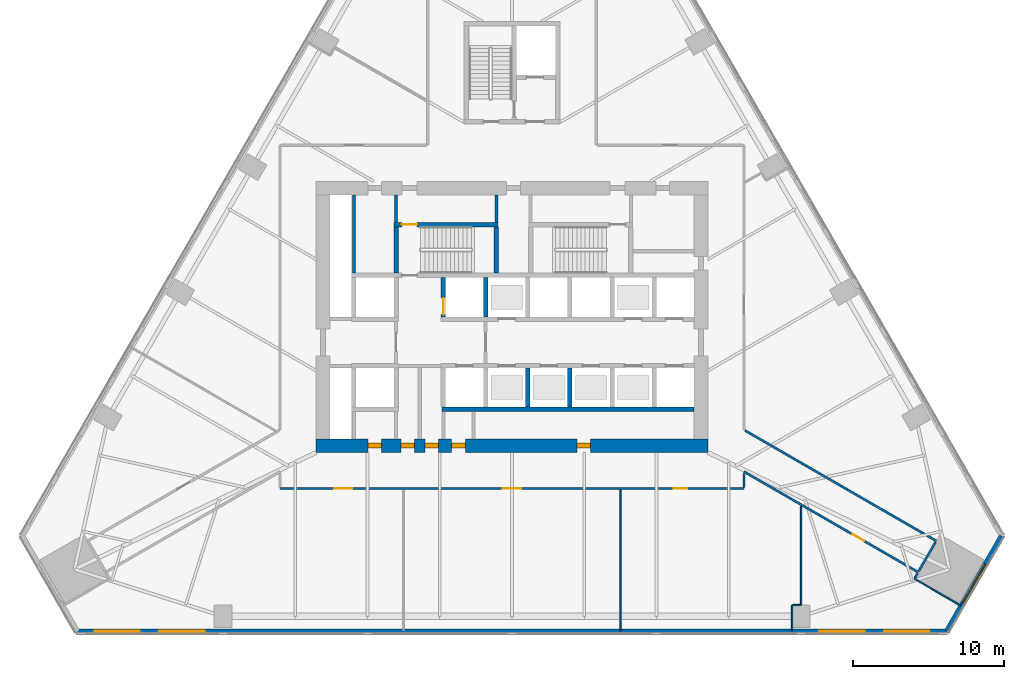
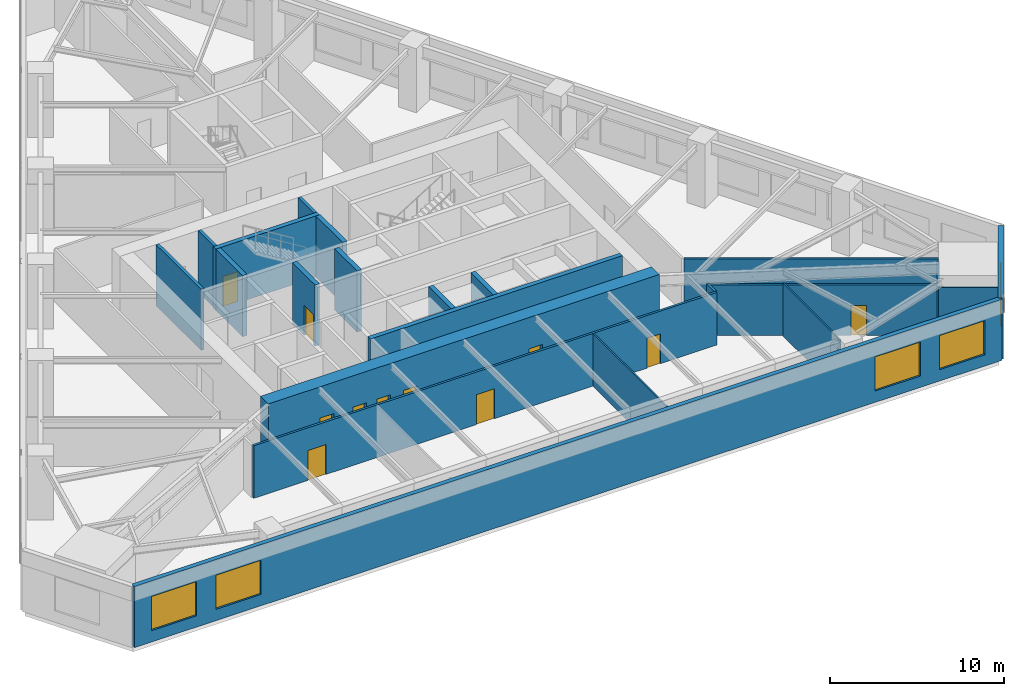
# One storey, part 4 of 14: 25 walls, 11 doors, 5 windows, 16 openings.
"""IFC4 building model written with IfcOpenShell, lengths in metres."""

from ifc_helpers import new_model, si_unit, direction, frame, frame_2d, origin, place, context, subcontext, project, spatial, rectangle, extrude, material, layer, layer_set, type_object, element, fill, save


model = new_model("IFC4")

# Units and contexts
model_context = context("Model", 3, precision=1e-05, world=origin(), true_north=direction((0.0, 1.0)))
body_context = subcontext(model_context, "Body", "Model", "MODEL_VIEW")
ifc_project = project(units=[si_unit("LENGTHUNIT", "METRE"), si_unit("AREAUNIT", "SQUARE_METRE"), si_unit("VOLUMEUNIT", "CUBIC_METRE"), si_unit("PLANEANGLEUNIT", "RADIAN"), si_unit("MASSUNIT", "GRAM", prefix="KILO")], contexts=[model_context])

# Site, building, storey
site_placement = place(None, origin())
site = spatial("IfcSite", under=ifc_project, at=site_placement, CompositionType="ELEMENT")
building_placement = place(site_placement, origin())
building = spatial("IfcBuilding", under=site, at=building_placement, Name="Firuza Gate Tower and Library", CompositionType="ELEMENT")
storey_placement = place(building_placement, frame((0.0, 0.0, 35.5)))
storey = spatial("IfcBuildingStorey", under=building, at=storey_placement, Name="L07", CompositionType="ELEMENT", Elevation=35.5)

# Walls
ifc_material_1 = material(Name="Plasterboard on steel studs", Category="steel")
ifc_layer_1 = layer(ifc_material_1, 0.199951171875)
ifc_layer_set_1 = layer_set([ifc_layer_1], Name="Core partition 200 EI 120")
wall_type_1 = type_object("IfcWallType", Name="Core partition 200 EI 120", PredefinedType="PARTITIONING", material=ifc_layer_set_1)
wall_1_placement = place(storey_placement, frame((64.5, 77.89990234375, 0.0), z_axis=(0.0, 0.0, 1.0), x_axis=(0.0, 1.0, 0.0)))
element("IfcWall", 1, at=wall_1_placement, inside=storey, type_object=wall_type_1, Name="Core partition L07 6", PredefinedType="PARTITIONING", context=body_context, shape_type="SweptSolid", body=[
    extrude(rectangle(XDim=5.2001953125, YDim=0.199951171875, at=frame_2d((2.60009765625, 0.0))), origin(), (0.0, 0.0, 1.0), 4.300048828125),
])
for number, where, z_axis, x_axis, name in (
    (2, (67.300048828125, 81.280029296875, 0.0), (0.0, 0.0, 1.0), (0.0, 1.0, 0.0), "Core partition L07 9"),
    (3, (73.9599609375, 81.280029296875, 0.0), (0.0, 0.0, 1.0), (0.0, 1.0, 0.0), "Core partition L07 14"),
):
    element("IfcWall", number, at=place(storey_placement, frame(where, z_axis=z_axis, x_axis=x_axis)), inside=storey, type_object=wall_type_1, Name=name, PredefinedType="PARTITIONING", context=body_context, shape_type="SweptSolid", body=[
        extrude(rectangle(XDim=1.820068359375, YDim=0.199951171875, at=frame_2d((0.91015625, 0.0))), origin(), (0.0, 0.0, 1.0), 4.300048828125),
    ])
ifc_material_2 = material(Name="Concrete C80/95", Category="concrete")
ifc_layer_2 = layer(ifc_material_2, 0.300048828125)
ifc_layer_set_2 = layer_set([ifc_layer_2], Name="Core wall 300 C80/95")
wall_type_2 = type_object("IfcWallType", Name="Core wall 300 C80/95", PredefinedType="SHEAR", material=ifc_layer_set_2)
wall_2_placement = place(storey_placement, frame((70.35009765625, 68.85009765625, 0.0), z_axis=(0.0, 0.0, 1.0), x_axis=(1.0, 0.0, 0.0)))
element("IfcWall", 4, at=wall_2_placement, inside=storey, type_object=wall_type_2, Name="Core wall L07 6", PredefinedType="SHEAR", context=body_context, shape_type="SweptSolid", body=[
    extrude(rectangle(XDim=16.75, YDim=0.300048828125, at=frame_2d((8.375, 0.0))), origin(), (0.0, 0.0, 1.0), 4.300048828125),
])

# Wall, opening, door
wall_3_placement = place(storey_placement, frame((70.449951171875, 75.0, 0.0), z_axis=(0.0, 0.0, 1.0), x_axis=(0.0, 1.0, 0.0)))
wall_3 = element("IfcWall", 5, at=wall_3_placement, inside=storey, type_object=wall_type_2, Name="Core wall L07 16", PredefinedType="SHEAR", context=body_context, shape_type="SweptSolid", body=[
    extrude(rectangle(XDim=2.60009765625, YDim=0.300048828125, at=frame_2d((1.300048828125, 0.0))), origin(), (0.0, 0.0, 1.0), 4.300048828125),
])
opening_1_placement = place(wall_3_placement, frame((0.14990234375, 0.0, 0.0)))
opening_1 = element("IfcOpeningElement", 6, at=opening_1_placement, cuts=wall_3, Name="Opening LD-FF2-L07", PredefinedType="OPENING", context=body_context, shape_type="SweptSolid", body=[
    extrude(rectangle(XDim=1.10009765625, YDim=2.10009765625, at=frame_2d((0.550048828125, 1.050048828125))), frame((0.0, 0.16015625, 0.0), z_axis=(0.0, -1.0, 0.0), x_axis=(1.0, 0.0, 0.0)), (0.0, 0.0, 1.0), 0.320068359375),
])
ifc_material_3 = material(Name="Stainless steel", Category="steel")
door_type_1 = type_object("IfcDoorType", Name="Lift landing door 1100x2100", OperationType="DOUBLE_DOOR_SLIDING", PredefinedType="DOOR", material=ifc_material_3)
door_1_placement = place(opening_1_placement, origin())
door_1 = element("IfcDoor", 7, at=door_1_placement, inside=storey, type_object=door_type_1, Name="Landing door FF2 L07", OperationType="DOUBLE_DOOR_SLIDING", OverallHeight=2.10009765625, OverallWidth=1.10009765625, PredefinedType="DOOR", context=body_context, shape_type="SweptSolid", body=[
    extrude(rectangle(XDim=1.10009765625, YDim=2.10009765625, at=frame_2d((0.550048828125, 1.050048828125))), frame((0.0, 0.02490234375, 0.0), z_axis=(0.0, -1.0, 0.0), x_axis=(1.0, 0.0, 0.0)), (0.0, 0.0, 1.0), 0.050048828125),
])
fill(opening_1, door_1)

# Walls
for number, where, z_axis, x_axis, name in (
    (8, (73.25, 75.0, 0.0), (0.0, 0.0, 1.0), (0.0, 1.0, 0.0), "Core wall L07 18"),
    (9, (76.050048828125, 69.0, 0.0), (0.0, 0.0, 1.0), (0.0, 1.0, 0.0), "Core wall L07 19"),
    (10, (78.85009765625, 69.0, 0.0), (0.0, 0.0, 1.0), (0.0, 1.0, 0.0), "Core wall L07 21"),
):
    element("IfcWall", number, at=place(storey_placement, frame(where, z_axis=z_axis, x_axis=x_axis)), inside=storey, type_object=wall_type_2, Name=name, PredefinedType="SHEAR", context=body_context, shape_type="SweptSolid", body=[
        extrude(rectangle(XDim=2.60009765625, YDim=0.300048828125, at=frame_2d((1.300048828125, 0.0))), origin(), (0.0, 0.0, 1.0), 4.300048828125),
    ])

# Wall, opening, door
wall_4_placement = place(storey_placement, frame((67.14990234375, 81.1298828125, 0.0), z_axis=(0.0, 0.0, 1.0), x_axis=(1.0, 0.0, 0.0)))
wall_4 = element("IfcWall", 11, at=wall_4_placement, inside=storey, type_object=wall_type_2, Name="Core wall L07 28", PredefinedType="SHEAR", context=body_context, shape_type="SweptSolid", body=[
    extrude(rectangle(XDim=6.91015625, YDim=0.300048828125, at=frame_2d((3.455078125, 0.0))), origin(), (0.0, 0.0, 1.0), 4.300048828125),
])
opening_2_placement = place(wall_4_placement, frame((0.544921875, 0.0, 0.0)))
opening_2 = element("IfcOpeningElement", 12, at=opening_2_placement, cuts=wall_4, Name="Opening L07-K13", PredefinedType="OPENING", context=body_context, shape_type="SweptSolid", body=[
    extrude(rectangle(XDim=1.0, YDim=2.10009765625, at=frame_2d((0.5, 1.050048828125))), frame((0.0, 0.16015625, 0.0), z_axis=(0.0, -1.0, 0.0), x_axis=(1.0, 0.0, 0.0)), (0.0, 0.0, 1.0), 0.320068359375),
])
ifc_material_4 = material(Name="Steel", Category="steel")
door_type_2 = type_object("IfcDoorType", Name="Fire door 1000x2100 FD90", OperationType="NOTDEFINED", PredefinedType="DOOR", material=ifc_material_4)
door_2_placement = place(opening_2_placement, origin())
door_2 = element("IfcDoor", 13, at=door_2_placement, inside=storey, type_object=door_type_2, Name="Door L07-K13", OperationType="SINGLE_SWING_RIGHT", OverallHeight=2.10009765625, OverallWidth=1.0, PredefinedType="DOOR", context=body_context, shape_type="SweptSolid", body=[
    extrude(rectangle(XDim=1.0, YDim=2.10009765625, at=frame_2d((0.5, 1.050048828125))), frame((0.0, 0.02490234375, 0.0), z_axis=(0.0, -1.0, 0.0), x_axis=(1.0, 0.0, 0.0)), (0.0, 0.0, 1.0), 0.050048828125),
])
fill(opening_2, door_2)

# Walls
for number, where, z_axis, x_axis, name in (
    (14, (67.300048828125, 77.89990234375, 0.0), (0.0, 0.0, 1.0), (0.0, 1.0, 0.0), "Core wall L07 30"),
    (15, (73.9599609375, 77.89990234375, 0.0), (0.0, 0.0, 1.0), (0.0, 1.0, 0.0), "Core wall L07 31"),
):
    element("IfcWall", number, at=place(storey_placement, frame(where, z_axis=z_axis, x_axis=x_axis)), inside=storey, type_object=wall_type_2, Name=name, PredefinedType="SHEAR", context=body_context, shape_type="SweptSolid", body=[
        extrude(rectangle(XDim=3.080078125, YDim=0.300048828125, at=frame_2d((1.5400390625, 0.0))), origin(), (0.0, 0.0, 1.0), 4.300048828125),
    ])

# Wall, openings, doors
ifc_material_5 = material(Name="Concrete C80/95", Category="concrete")
ifc_layer_3 = layer(ifc_material_5, 0.89990234375)
ifc_layer_set_3 = layer_set([ifc_layer_3], Name="Core wall 900 C80/95")
wall_type_3 = type_object("IfcWallType", Name="Core wall 900 C80/95", PredefinedType="SHEAR", material=ifc_layer_set_3)
wall_5_placement = place(storey_placement, frame((62.0, 66.449951171875, 0.0), z_axis=(0.0, 0.0, 1.0), x_axis=(1.0, 0.0, 0.0)))
wall_5 = element("IfcWall", 16, at=wall_5_placement, inside=storey, type_object=wall_type_3, Name="Core wall L07 1", PredefinedType="SHEAR", context=body_context, shape_type="SweptSolid", body=[
    extrude(rectangle(XDim=26.0, YDim=0.89990234375, at=frame_2d((13.0, 0.0))), origin(), (0.0, 0.0, 1.0), 4.300048828125),
])
opening_3_placement = place(wall_5_placement, frame((3.449951171875, 0.0, 0.0)))
opening_3 = element("IfcOpeningElement", 17, at=opening_3_placement, cuts=wall_5, Name="Opening L07-K24", PredefinedType="OPENING", context=body_context, shape_type="SweptSolid", body=[
    extrude(rectangle(XDim=0.89990234375, YDim=2.10009765625, at=frame_2d((0.449951171875, 1.050048828125))), frame((0.0, 0.4599609375, 0.0), z_axis=(0.0, -1.0, 0.0), x_axis=(1.0, 0.0, 0.0)), (0.0, 0.0, 1.0), 0.919921875),
])
opening_4_placement = place(wall_5_placement, frame((5.637451171875, 0.0, 0.0)))
opening_4 = element("IfcOpeningElement", 18, at=opening_4_placement, cuts=wall_5, Name="Opening L07-K25", PredefinedType="OPENING", context=body_context, shape_type="SweptSolid", body=[
    extrude(rectangle(XDim=0.89990234375, YDim=2.10009765625, at=frame_2d((0.449951171875, 1.050048828125))), frame((0.0, 0.4599609375, 0.0), z_axis=(0.0, -1.0, 0.0), x_axis=(1.0, 0.0, 0.0)), (0.0, 0.0, 1.0), 0.919921875),
])
opening_5_placement = place(wall_5_placement, frame((7.21240234375, 0.0, 0.0)))
opening_5 = element("IfcOpeningElement", 19, at=opening_5_placement, cuts=wall_5, Name="Opening L07-K26", PredefinedType="OPENING", context=body_context, shape_type="SweptSolid", body=[
    extrude(rectangle(XDim=0.89990234375, YDim=2.10009765625, at=frame_2d((0.449951171875, 1.050048828125))), frame((0.0, 0.4599609375, 0.0), z_axis=(0.0, -1.0, 0.0), x_axis=(1.0, 0.0, 0.0)), (0.0, 0.0, 1.0), 0.919921875),
])
opening_6_placement = place(wall_5_placement, frame((8.9990234375, 0.0, 0.0)))
opening_6 = element("IfcOpeningElement", 20, at=opening_6_placement, cuts=wall_5, Name="Opening L07-K27", PredefinedType="OPENING", context=body_context, shape_type="SweptSolid", body=[
    extrude(rectangle(XDim=0.89990234375, YDim=2.10009765625, at=frame_2d((0.449951171875, 1.050048828125))), frame((0.0, 0.4599609375, 0.0), z_axis=(0.0, -1.0, 0.0), x_axis=(1.0, 0.0, 0.0)), (0.0, 0.0, 1.0), 0.919921875),
])
opening_7_placement = place(wall_5_placement, frame((17.323974609375, 0.0, 0.0)))
opening_7 = element("IfcOpeningElement", 21, at=opening_7_placement, cuts=wall_5, Name="Opening L07-K28", PredefinedType="OPENING", context=body_context, shape_type="SweptSolid", body=[
    extrude(rectangle(XDim=0.89990234375, YDim=2.10009765625, at=frame_2d((0.449951171875, 1.050048828125))), frame((0.0, 0.4599609375, 0.0), z_axis=(0.0, -1.0, 0.0), x_axis=(1.0, 0.0, 0.0)), (0.0, 0.0, 1.0), 0.919921875),
])
ifc_material_6 = material(Name="Steel", Category="steel")
door_type_3 = type_object("IfcDoorType", Name="Fire door 900x2100 FD30S", OperationType="NOTDEFINED", PredefinedType="DOOR", material=ifc_material_6)
door_3_placement = place(opening_3_placement, origin())
door_3 = element("IfcDoor", 22, at=door_3_placement, inside=storey, type_object=door_type_3, Name="Door L07-K24", OperationType="SINGLE_SWING_LEFT", OverallHeight=2.10009765625, OverallWidth=0.89990234375, PredefinedType="DOOR", context=body_context, shape_type="SweptSolid", body=[
    extrude(rectangle(XDim=0.89990234375, YDim=2.10009765625, at=frame_2d((0.449951171875, 1.050048828125))), frame((0.0, 0.169921875, 0.0), z_axis=(0.0, -1.0, 0.0), x_axis=(1.0, 0.0, 0.0)), (0.0, 0.0, 1.0), 0.33984375),
])
fill(opening_3, door_3)
door_4_placement = place(opening_4_placement, origin())
door_4 = element("IfcDoor", 23, at=door_4_placement, inside=storey, type_object=door_type_3, Name="Door L07-K25", OperationType="SINGLE_SWING_RIGHT", OverallHeight=2.10009765625, OverallWidth=0.89990234375, PredefinedType="DOOR", context=body_context, shape_type="SweptSolid", body=[
    extrude(rectangle(XDim=0.89990234375, YDim=2.10009765625, at=frame_2d((0.449951171875, 1.050048828125))), frame((0.0, 0.169921875, 0.0), z_axis=(0.0, -1.0, 0.0), x_axis=(1.0, 0.0, 0.0)), (0.0, 0.0, 1.0), 0.33984375),
])
fill(opening_4, door_4)
door_5_placement = place(opening_5_placement, origin())
door_5 = element("IfcDoor", 24, at=door_5_placement, inside=storey, type_object=door_type_3, Name="Door L07-K26", OperationType="SINGLE_SWING_LEFT", OverallHeight=2.10009765625, OverallWidth=0.89990234375, PredefinedType="DOOR", context=body_context, shape_type="SweptSolid", body=[
    extrude(rectangle(XDim=0.89990234375, YDim=2.10009765625, at=frame_2d((0.449951171875, 1.050048828125))), frame((0.0, 0.169921875, 0.0), z_axis=(0.0, -1.0, 0.0), x_axis=(1.0, 0.0, 0.0)), (0.0, 0.0, 1.0), 0.33984375),
])
fill(opening_5, door_5)
door_6_placement = place(opening_6_placement, origin())
door_6 = element("IfcDoor", 25, at=door_6_placement, inside=storey, type_object=door_type_3, Name="Door L07-K27", OperationType="SINGLE_SWING_RIGHT", OverallHeight=2.10009765625, OverallWidth=0.89990234375, PredefinedType="DOOR", context=body_context, shape_type="SweptSolid", body=[
    extrude(rectangle(XDim=0.89990234375, YDim=2.10009765625, at=frame_2d((0.449951171875, 1.050048828125))), frame((0.0, 0.169921875, 0.0), z_axis=(0.0, -1.0, 0.0), x_axis=(1.0, 0.0, 0.0)), (0.0, 0.0, 1.0), 0.33984375),
])
fill(opening_6, door_6)
door_7_placement = place(opening_7_placement, origin())
door_7 = element("IfcDoor", 26, at=door_7_placement, inside=storey, type_object=door_type_3, Name="Door L07-K28", OperationType="SINGLE_SWING_LEFT", OverallHeight=2.10009765625, OverallWidth=0.89990234375, PredefinedType="DOOR", context=body_context, shape_type="SweptSolid", body=[
    extrude(rectangle(XDim=0.89990234375, YDim=2.10009765625, at=frame_2d((0.449951171875, 1.050048828125))), frame((0.0, 0.169921875, 0.0), z_axis=(0.0, -1.0, 0.0), x_axis=(1.0, 0.0, 0.0)), (0.0, 0.0, 1.0), 0.33984375),
])
fill(opening_7, door_7)

ifc_material_7 = material(Name="Gypsum board partition")
ifc_layer_4 = layer(ifc_material_7, 0.14990234375)
ifc_layer_set_4 = layer_set([ifc_layer_4], Name="Corridor wall 150 double board on steel studs")
wall_type_4 = type_object("IfcWallType", Name="Corridor wall 150 double board on steel studs", PredefinedType="PARTITIONING", material=ifc_layer_set_4)
wall_6_placement = place(storey_placement, frame((90.39990234375, 63.60009765625, 0.0), z_axis=(0.0, 0.0, 1.0), x_axis=(-1.0, 0.0, 0.0)))
wall_6 = element("IfcWall", 27, at=wall_6_placement, inside=storey, type_object=wall_type_4, Name="f:L07:w001", PredefinedType="PARTITIONING", context=body_context, shape_type="SweptSolid", body=[
    extrude(rectangle(XDim=30.79931640625, YDim=0.14990234375, at=frame_2d((15.399658203125, 0.0))), origin(), (0.0, 0.0, 1.0), 3.699951171875),
])
opening_8_placement = place(wall_6_placement, frame((3.75146484375, 0.0, 0.0)))
opening_8 = element("IfcOpeningElement", 28, at=opening_8_placement, cuts=wall_6, Name="Opening L07-01", PredefinedType="OPENING", context=body_context, shape_type="SweptSolid", body=[
    extrude(rectangle(XDim=0.89990234375, YDim=2.10009765625, at=frame_2d((0.449951171875, 1.050048828125))), frame((0.0, 0.0849609375, 0.0), z_axis=(0.0, -1.0, 0.0), x_axis=(1.0, 0.0, 0.0)), (0.0, 0.0, 1.0), 0.169921875),
])
opening_9_placement = place(wall_6_placement, frame((14.800048828125, 0.0, 0.0)))
opening_9 = element("IfcOpeningElement", 29, at=opening_9_placement, cuts=wall_6, Name="Opening L07-02", PredefinedType="OPENING", context=body_context, shape_type="SweptSolid", body=[
    extrude(rectangle(XDim=1.199951171875, YDim=2.10009765625, at=frame_2d((0.60009765625, 1.050048828125))), frame((0.0, 0.0849609375, 0.0), z_axis=(0.0, -1.0, 0.0), x_axis=(1.0, 0.0, 0.0)), (0.0, 0.0, 1.0), 0.169921875),
])
opening_10_placement = place(wall_6_placement, frame((25.998291015625, 0.0, 0.0)))
opening_10 = element("IfcOpeningElement", 30, at=opening_10_placement, cuts=wall_6, Name="Opening L07-03", PredefinedType="OPENING", context=body_context, shape_type="SweptSolid", body=[
    extrude(rectangle(XDim=1.199951171875, YDim=2.10009765625, at=frame_2d((0.60009765625, 1.050048828125))), frame((0.0, 0.0849609375, 0.0), z_axis=(0.0, -1.0, 0.0), x_axis=(1.0, 0.0, 0.0)), (0.0, 0.0, 1.0), 0.169921875),
])
ifc_material_8 = material(Name="Steel door and timber leaf", Category="steel")
door_type_4 = type_object("IfcDoorType", Name="Fire door 1200 x 2100 steel frame, double leaf", OperationType="NOTDEFINED", PredefinedType="DOOR", material=ifc_material_8)
door_8_placement = place(opening_9_placement, origin())
door_8 = element("IfcDoor", 31, at=door_8_placement, inside=storey, type_object=door_type_4, Name="f:L07:d002", OperationType="DOUBLE_DOOR_SINGLE_SWING", OverallHeight=2.10009765625, OverallWidth=1.199951171875, PredefinedType="DOOR", context=body_context, shape_type="SweptSolid", body=[
    extrude(rectangle(XDim=1.199951171875, YDim=2.10009765625, at=frame_2d((0.60009765625, 1.050048828125))), frame((0.0, 0.02490234375, 0.0), z_axis=(0.0, -1.0, 0.0), x_axis=(1.0, 0.0, 0.0)), (0.0, 0.0, 1.0), 0.050048828125),
])
fill(opening_9, door_8)
door_9_placement = place(opening_10_placement, origin())
door_9 = element("IfcDoor", 32, at=door_9_placement, inside=storey, type_object=door_type_4, Name="f:L07:d003", OperationType="DOUBLE_DOOR_SINGLE_SWING", OverallHeight=2.10009765625, OverallWidth=1.199951171875, PredefinedType="DOOR", context=body_context, shape_type="SweptSolid", body=[
    extrude(rectangle(XDim=1.199951171875, YDim=2.10009765625, at=frame_2d((0.60009765625, 1.050048828125))), frame((0.0, 0.02490234375, 0.0), z_axis=(0.0, -1.0, 0.0), x_axis=(1.0, 0.0, 0.0)), (0.0, 0.0, 1.0), 0.050048828125),
])
fill(opening_10, door_9)
ifc_material_9 = material(Name="Steel door and timber leaf", Category="steel")
door_type_5 = type_object("IfcDoorType", Name="Fire door 900 x 2100 steel frame, timber leaf", OperationType="NOTDEFINED", PredefinedType="DOOR", material=ifc_material_9)
door_10_placement = place(opening_8_placement, origin())
door_10 = element("IfcDoor", 33, at=door_10_placement, inside=storey, type_object=door_type_5, Name="f:L07:d001", OperationType="SINGLE_SWING_RIGHT", OverallHeight=2.10009765625, OverallWidth=0.89990234375, PredefinedType="DOOR", context=body_context, shape_type="SweptSolid", body=[
    extrude(rectangle(XDim=0.89990234375, YDim=2.10009765625, at=frame_2d((0.449951171875, 1.050048828125))), frame((0.0, 0.02490234375, 0.0), z_axis=(0.0, -1.0, 0.0), x_axis=(1.0, 0.0, 0.0)), (0.0, 0.0, 1.0), 0.050048828125),
])
fill(opening_8, door_10)

# Walls
wall_7_placement = place(storey_placement, frame((101.744384765625, 57.654541015625, 0.0), z_axis=(0.0, 0.0, 1.0), x_axis=(0.500136362069, 0.865946660792, 0.0)))
element("IfcWall", 34, at=wall_7_placement, inside=storey, type_object=wall_type_4, Name="f:L07:w013", PredefinedType="PARTITIONING", context=body_context, shape_type="SweptSolid", body=[
    extrude(rectangle(XDim=0.37451171875, YDim=0.14990234375, at=frame_2d((0.187255859375, 0.0))), origin(), (0.0, 0.0, 1.0), 3.699951171875),
])
wall_8_placement = place(storey_placement, frame((90.39990234375, 63.675048828125, 0.0), z_axis=(0.0, 0.0, 1.0), x_axis=(0.0, 1.0, 0.0)))
element("IfcWall", 35, at=wall_8_placement, inside=storey, type_object=wall_type_4, Name="f:L07:w017", PredefinedType="PARTITIONING", context=body_context, shape_type="SweptSolid", body=[
    extrude(rectangle(XDim=0.91162109375, YDim=0.14990234375, at=frame_2d((0.455810546875, 0.0))), origin(), (0.0, 0.0, 1.0), 3.699951171875),
])
wall_9_placement = place(storey_placement, frame((103.16845703125, 60.12255859375, 0.0), z_axis=(0.0, 0.0, 1.0), x_axis=(-0.866022484069, 0.500005057062, 0.0)))
element("IfcWall", 36, at=wall_9_placement, inside=storey, type_object=wall_type_4, Name="f:L07:w032", PredefinedType="PARTITIONING", context=body_context, shape_type="SweptSolid", body=[
    extrude(rectangle(XDim=14.656982421875, YDim=0.14990234375, at=frame_2d((7.32861328125, 0.0))), origin(), (0.0, 0.0, 1.0), 3.699951171875),
])

# Wall, opening, door
wall_10_placement = place(storey_placement, frame((101.968994140625, 58.0439453125, 0.0), z_axis=(0.0, 0.0, 1.0), x_axis=(-0.866027935033, 0.499995615723, 0.0)))
wall_10 = element("IfcWall", 37, at=wall_10_placement, inside=storey, type_object=wall_type_4, Name="f:L07:w033", PredefinedType="PARTITIONING", context=body_context, shape_type="SweptSolid", body=[
    extrude(rectangle(XDim=13.3583984375, YDim=0.14990234375, at=frame_2d((6.67919921875, 0.0))), origin(), (0.0, 0.0, 1.0), 3.547119140625),
])
opening_11_placement = place(wall_10_placement, frame((4.136962890625, 0.0, 0.0)))
opening_11 = element("IfcOpeningElement", 38, at=opening_11_placement, cuts=wall_10, Name="Opening L07-10", PredefinedType="OPENING", context=body_context, shape_type="SweptSolid", body=[
    extrude(rectangle(XDim=0.89990234375, YDim=2.10009765625, at=frame_2d((0.449951171875, 1.050048828125))), frame((0.0, 0.0849609375, 0.0), z_axis=(0.0, -1.0, 0.0), x_axis=(1.0, 0.0, 0.0)), (0.0, 0.0, 1.0), 0.169921875),
])
door_11_placement = place(opening_11_placement, origin())
door_11 = element("IfcDoor", 39, at=door_11_placement, inside=storey, type_object=door_type_5, Name="f:L07:d010", OperationType="SINGLE_SWING_RIGHT", OverallHeight=2.10009765625, OverallWidth=0.89990234375, PredefinedType="DOOR", context=body_context, shape_type="SweptSolid", body=[
    extrude(rectangle(XDim=0.89990234375, YDim=2.10009765625, at=frame_2d((0.449951171875, 1.050048828125))), frame((0.0, 0.02490234375, 0.0), z_axis=(0.0, -1.0, 0.0), x_axis=(1.0, 0.0, 0.0)), (0.0, 0.0, 1.0), 0.050048828125),
])
fill(opening_11, door_11)

# Walls
wall_11_placement = place(storey_placement, frame((102.006591796875, 58.108642578125, 0.0), z_axis=(0.0, 0.0, 1.0), x_axis=(0.499979232204, 0.866037393745, 0.0)))
element("IfcWall", 40, at=wall_11_placement, inside=storey, type_object=wall_type_4, Name="f:L07:w039", PredefinedType="PARTITIONING", context=body_context, shape_type="SweptSolid", body=[
    extrude(rectangle(XDim=2.24951171875, YDim=0.14990234375, at=frame_2d((1.124755859375, 0.0))), origin(), (0.0, 0.0, 1.0), 3.547119140625),
])
ifc_material_10 = material(Name="Gypsum board partition")
ifc_layer_5 = layer(ifc_material_10, 0.10009765625)
ifc_layer_set_5 = layer_set([ifc_layer_5], Name="Partition 100 gypsum board on steel studs")
wall_type_5 = type_object("IfcWallType", Name="Partition 100 gypsum board on steel studs", PredefinedType="PARTITIONING", material=ifc_layer_set_5)
wall_12_placement = place(storey_placement, frame((93.650390625, 55.864990234375, 0.0), z_axis=(0.0, 0.0, 1.0), x_axis=(1.0, 0.0, 0.0)))
element("IfcWall", 41, at=wall_12_placement, inside=storey, type_object=wall_type_5, Name="f:L07:w000", PredefinedType="PARTITIONING", context=body_context, shape_type="SweptSolid", body=[
    extrude(rectangle(XDim=0.4990234375, YDim=0.10009765625, at=frame_2d((0.24951171875, 0.0))), origin(), (0.0, 0.0, 1.0), 3.699951171875),
])
wall_13_placement = place(storey_placement, frame((94.199951171875, 55.865966796875, 0.0), z_axis=(0.0, 0.0, 1.0), x_axis=(0.0, 1.0, 0.0)))
element("IfcWall", 42, at=wall_13_placement, inside=storey, type_object=wall_type_5, Name="f:L07:w015", PredefinedType="PARTITIONING", context=body_context, shape_type="SweptSolid", body=[
    extrude(rectangle(XDim=6.546630859375, YDim=0.10009765625, at=frame_2d((3.2734375, 0.0))), origin(), (0.0, 0.0, 1.0), 3.699951171875),
])
wall_14_placement = place(storey_placement, frame((93.60009765625, 54.1552734375, 0.0), z_axis=(0.0, 0.0, 1.0), x_axis=(0.0, 1.0, 0.0)))
element("IfcWall", 43, at=wall_14_placement, inside=storey, type_object=wall_type_5, Name="f:L07:w016", PredefinedType="PARTITIONING", context=body_context, shape_type="SweptSolid", body=[
    extrude(rectangle(XDim=1.709716796875, YDim=0.10009765625, at=frame_2d((0.85498046875, 0.0))), origin(), (0.0, 0.0, 1.0), 3.699951171875),
])
wall_15_placement = place(storey_placement, frame((82.199951171875, 54.1552734375, 0.0), z_axis=(0.0, 0.0, 1.0), x_axis=(0.0, 1.0, 0.0)))
element("IfcWall", 44, at=wall_15_placement, inside=storey, type_object=wall_type_5, Name="f:L07:w019", PredefinedType="PARTITIONING", context=body_context, shape_type="SweptSolid", body=[
    extrude(rectangle(XDim=9.36962890625, YDim=0.10009765625, at=frame_2d((4.684814453125, 0.0))), origin(), (0.0, 0.0, 1.0), 3.699951171875),
])
wall_16_placement = place(storey_placement, frame((104.802001953125, 55.830810546875, 0.0), z_axis=(0.0, 0.0, 1.0), x_axis=(-0.866014251095, 0.500019316528, 0.0)))
element("IfcWall", 45, at=wall_16_placement, inside=storey, type_object=wall_type_5, Name="f:L07:w034", PredefinedType="PARTITIONING", context=body_context, shape_type="SweptSolid", body=[
    extrude(rectangle(XDim=3.559326171875, YDim=0.10009765625, at=frame_2d((1.77978515625, 0.0))), origin(), (0.0, 0.0, 1.0), 3.699951171875),
])

# Wall, openings, windows
ifc_material_11 = material(Name="Concrete C40/50", Category="concrete")
ifc_layer_6 = layer(ifc_material_11, 0.300048828125)
ifc_layer_set_6 = layer_set([ifc_layer_6], Name="Plant louvre wall 300")
wall_type_6 = type_object("IfcWallType", Name="Plant louvre wall 300", PredefinedType="SOLIDWALL", material=ifc_layer_set_6)
wall_17_placement = place(storey_placement, frame((46.14794921875, 54.12548828125, 0.0), z_axis=(0.0, 0.0, 1.0), x_axis=(1.0, 0.0, 0.0)))
wall_17 = element("IfcWall", 46, at=wall_17_placement, inside=storey, type_object=wall_type_6, Name="Plant louvre wall 1", PredefinedType="SOLIDWALL", context=body_context, shape_type="SweptSolid", body=[
    extrude(rectangle(XDim=57.7041015625, YDim=0.300048828125, at=frame_2d((28.85205078125, 0.0))), origin(), (0.0, 0.0, 1.0), 4.300048828125),
])
opening_12_placement = place(wall_17_placement, frame((1.14501953125, 0.0, 0.800048828125)))
opening_12 = element("IfcOpeningElement", 47, at=opening_12_placement, cuts=wall_17, Name="Opening WD3-001", PredefinedType="OPENING", context=body_context, shape_type="SweptSolid", body=[
    extrude(rectangle(XDim=3.0, YDim=2.39990234375, at=frame_2d((1.5, 1.199951171875))), frame((0.0, 0.16015625, 0.0), z_axis=(0.0, -1.0, 0.0), x_axis=(1.0, 0.0, 0.0)), (0.0, 0.0, 1.0), 0.320068359375),
])
opening_13_placement = place(wall_17_placement, frame((5.43505859375, 0.0, 0.800048828125)))
opening_13 = element("IfcOpeningElement", 48, at=opening_13_placement, cuts=wall_17, Name="Opening WD3-002", PredefinedType="OPENING", context=body_context, shape_type="SweptSolid", body=[
    extrude(rectangle(XDim=3.0, YDim=2.39990234375, at=frame_2d((1.5, 1.199951171875))), frame((0.0, 0.16015625, 0.0), z_axis=(0.0, -1.0, 0.0), x_axis=(1.0, 0.0, 0.0)), (0.0, 0.0, 1.0), 0.320068359375),
])
opening_14_placement = place(wall_17_placement, frame((49.26904296875, 0.0, 0.800048828125)))
opening_14 = element("IfcOpeningElement", 49, at=opening_14_placement, cuts=wall_17, Name="Opening WD3-003", PredefinedType="OPENING", context=body_context, shape_type="SweptSolid", body=[
    extrude(rectangle(XDim=3.0, YDim=2.39990234375, at=frame_2d((1.5, 1.199951171875))), frame((0.0, 0.16015625, 0.0), z_axis=(0.0, -1.0, 0.0), x_axis=(1.0, 0.0, 0.0)), (0.0, 0.0, 1.0), 0.320068359375),
])
opening_15_placement = place(wall_17_placement, frame((53.558837890625, 0.0, 0.800048828125)))
opening_15 = element("IfcOpeningElement", 50, at=opening_15_placement, cuts=wall_17, Name="Opening WD3-004", PredefinedType="OPENING", context=body_context, shape_type="SweptSolid", body=[
    extrude(rectangle(XDim=3.0, YDim=2.39990234375, at=frame_2d((1.5, 1.199951171875))), frame((0.0, 0.16015625, 0.0), z_axis=(0.0, -1.0, 0.0), x_axis=(1.0, 0.0, 0.0)), (0.0, 0.0, 1.0), 0.320068359375),
])
ifc_material_12 = material(Name="Aluminium 6063-T6", Category="aluminium")
window_type = type_object("IfcWindowType", Name="Plant louvre 3000x2400", PartitioningType="SINGLE_PANEL", PredefinedType="WINDOW", material=ifc_material_12)
window_1_placement = place(opening_12_placement, origin())
window_1 = element("IfcWindow", 51, at=window_1_placement, inside=storey, type_object=window_type, Name="e:pwall:L07:0/L0", OverallHeight=2.39990234375, OverallWidth=3.0, PartitioningType="SINGLE_PANEL", PredefinedType="WINDOW", context=body_context, shape_type="SweptSolid", body=[
    extrude(rectangle(XDim=3.0, YDim=2.39990234375, at=frame_2d((1.5, 1.199951171875))), frame((0.0, 0.030029296875, 0.0), z_axis=(0.0, -1.0, 0.0), x_axis=(1.0, 0.0, 0.0)), (0.0, 0.0, 1.0), 0.06005859375),
])
fill(opening_12, window_1)
window_2_placement = place(opening_13_placement, origin())
window_2 = element("IfcWindow", 52, at=window_2_placement, inside=storey, type_object=window_type, Name="e:pwall:L07:0/L1", OverallHeight=2.39990234375, OverallWidth=3.0, PartitioningType="SINGLE_PANEL", PredefinedType="WINDOW", context=body_context, shape_type="SweptSolid", body=[
    extrude(rectangle(XDim=3.0, YDim=2.39990234375, at=frame_2d((1.5, 1.199951171875))), frame((0.0, 0.030029296875, 0.0), z_axis=(0.0, -1.0, 0.0), x_axis=(1.0, 0.0, 0.0)), (0.0, 0.0, 1.0), 0.06005859375),
])
fill(opening_13, window_2)
window_3_placement = place(opening_14_placement, origin())
window_3 = element("IfcWindow", 53, at=window_3_placement, inside=storey, type_object=window_type, Name="e:pwall:L07:0/L2", OverallHeight=2.39990234375, OverallWidth=3.0, PartitioningType="SINGLE_PANEL", PredefinedType="WINDOW", context=body_context, shape_type="SweptSolid", body=[
    extrude(rectangle(XDim=3.0, YDim=2.39990234375, at=frame_2d((1.5, 1.199951171875))), frame((0.0, 0.030029296875, 0.0), z_axis=(0.0, -1.0, 0.0), x_axis=(1.0, 0.0, 0.0)), (0.0, 0.0, 1.0), 0.06005859375),
])
fill(opening_14, window_3)
window_4_placement = place(opening_15_placement, origin())
window_4 = element("IfcWindow", 54, at=window_4_placement, inside=storey, type_object=window_type, Name="e:pwall:L07:0/L3", OverallHeight=2.39990234375, OverallWidth=3.0, PartitioningType="SINGLE_PANEL", PredefinedType="WINDOW", context=body_context, shape_type="SweptSolid", body=[
    extrude(rectangle(XDim=3.0, YDim=2.39990234375, at=frame_2d((1.5, 1.199951171875))), frame((0.0, 0.030029296875, 0.0), z_axis=(0.0, -1.0, 0.0), x_axis=(1.0, 0.0, 0.0)), (0.0, 0.0, 1.0), 0.06005859375),
])
fill(opening_15, window_4)

# Wall, opening, window
wall_18_placement = place(storey_placement, frame((103.85205078125, 54.12548828125, 0.0), z_axis=(0.0, 0.0, 1.0), x_axis=(0.500000231294, 0.866025270247, 0.0)))
wall_18 = element("IfcWall", 55, at=wall_18_placement, inside=storey, type_object=wall_type_6, Name="Plant louvre wall 2", PredefinedType="SOLIDWALL", context=body_context, shape_type="SweptSolid", body=[
    extrude(rectangle(XDim=7.3037109375, YDim=0.300048828125, at=frame_2d((3.65185546875, 0.0))), origin(), (0.0, 0.0, 1.0), 4.300048828125),
])
opening_16_placement = place(wall_18_placement, frame((2.15185546875, 0.0, 0.800048828125)))
opening_16 = element("IfcOpeningElement", 56, at=opening_16_placement, cuts=wall_18, Name="Opening WD3-005", PredefinedType="OPENING", context=body_context, shape_type="SweptSolid", body=[
    extrude(rectangle(XDim=3.0, YDim=2.39990234375, at=frame_2d((1.5, 1.199951171875))), frame((0.0, 0.16015625, 0.0), z_axis=(0.0, -1.0, 0.0), x_axis=(1.0, 0.0, 0.0)), (0.0, 0.0, 1.0), 0.320068359375),
])
window_5_placement = place(opening_16_placement, origin())
window_5 = element("IfcWindow", 57, at=window_5_placement, inside=storey, type_object=window_type, Name="e:pwall:L07:1/L0", OverallHeight=2.39990234375, OverallWidth=3.0, PartitioningType="SINGLE_PANEL", PredefinedType="WINDOW", context=body_context, shape_type="SweptSolid", body=[
    extrude(rectangle(XDim=3.0, YDim=2.39990234375, at=frame_2d((1.5, 1.199951171875))), frame((0.0, 0.030029296875, 0.0), z_axis=(0.0, -1.0, 0.0), x_axis=(1.0, 0.0, 0.0)), (0.0, 0.0, 1.0), 0.06005859375),
])
fill(opening_16, window_5)

save(model, "model.ifc")
